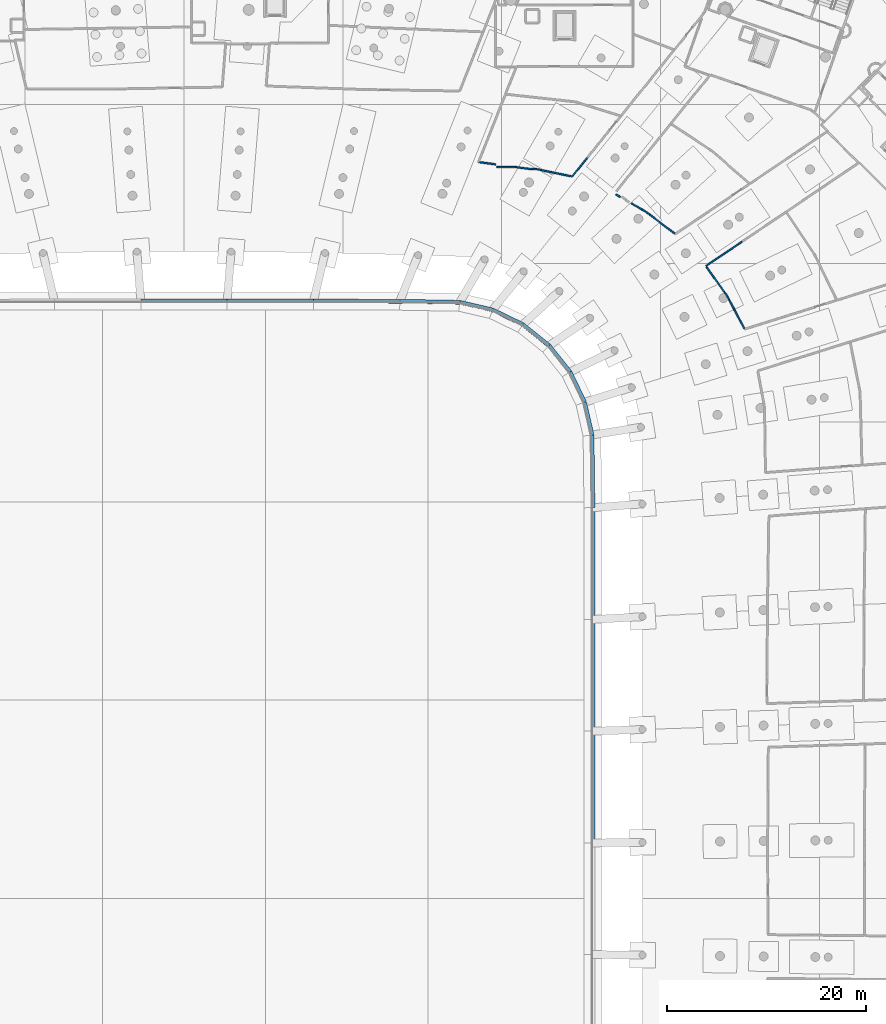
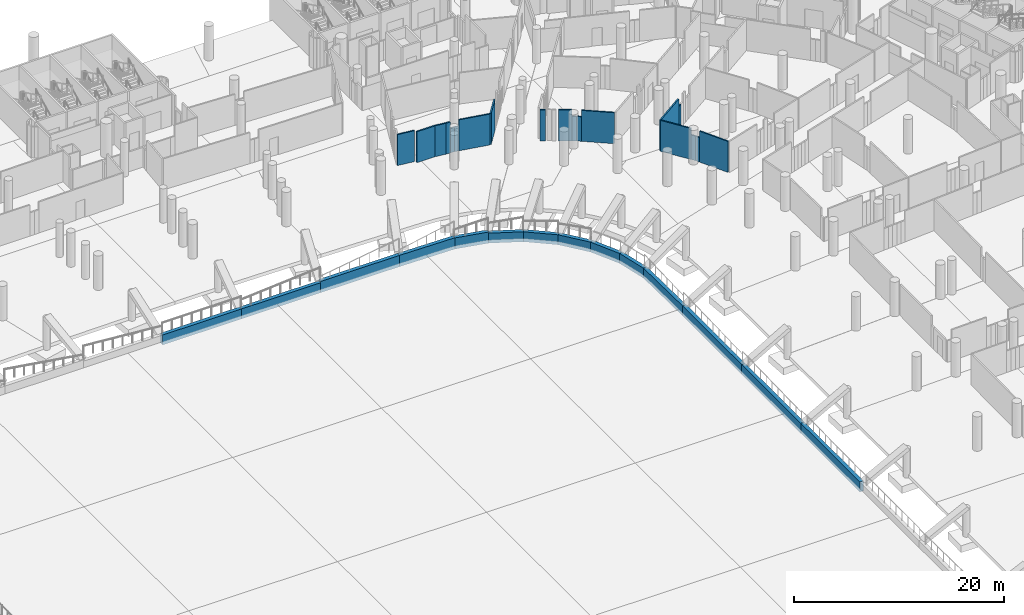
# One storey, part 81 of 142: 33 walls.
"""IFC4 building model written with IfcOpenShell, lengths in metres."""

from ifc_helpers import new_model, si_unit, direction, frame, frame_2d, origin, place, context, subcontext, project, spatial, rectangle, extrude, material, layer, layer_set, type_object, element, save


model = new_model("IFC4")

# Units and contexts
model_context = context("Model", 3, precision=1e-05, world=origin(), true_north=direction((0.0, 1.0)))
body_context = subcontext(model_context, "Body", "Model", "MODEL_VIEW")
ifc_project = project(units=[si_unit("LENGTHUNIT", "METRE"), si_unit("AREAUNIT", "SQUARE_METRE"), si_unit("VOLUMEUNIT", "CUBIC_METRE"), si_unit("PLANEANGLEUNIT", "RADIAN"), si_unit("MASSUNIT", "GRAM", prefix="KILO")], contexts=[model_context])

# Site, building, storey
site_placement = place(None, origin())
site = spatial("IfcSite", under=ifc_project, at=site_placement, CompositionType="ELEMENT")
building_placement = place(site_placement, origin())
building = spatial("IfcBuilding", under=site, at=building_placement, Name="Meseta Stadium", CompositionType="ELEMENT")
storey_placement = place(building_placement, frame((0.0, 0.0, -4.0)))
storey = spatial("IfcBuildingStorey", under=building, at=storey_placement, Name="B1", CompositionType="ELEMENT", Elevation=-4.0)

# Walls
ifc_material_1 = material(Name="Masonry blockwork", Category="masonry")
ifc_layer_1 = layer(ifc_material_1, 0.14990234375)
ifc_layer_set_1 = layer_set([ifc_layer_1], Name="Partition 150")
wall_type_1 = type_object("IfcWallType", Name="Partition 150", PredefinedType="PARTITIONING", material=ifc_layer_set_1)
wall_1_placement = place(storey_placement, frame((52.581787109375, 63.736572265625, 0.0), z_axis=(0.0, 0.0, 1.0), x_axis=(0.82882615394, 0.559506216718, 0.0)))
element("IfcWall", 1, at=wall_1_placement, inside=storey, type_object=wall_type_1, Name="Partition B1 B1-cell05-1-0", PredefinedType="PARTITIONING", context=body_context, shape_type="SweptSolid", body=[
    extrude(rectangle(XDim=3.896240234375, YDim=0.14990234375, at=frame_2d((1.9482421875, 0.0))), origin(), (0.0, 0.0, 1.0), 3.60009765625),
])
wall_2_placement = place(storey_placement, frame((55.81103515625, 65.91650390625, 0.0), z_axis=(0.0, 0.0, 1.0), x_axis=(0.828953242646, 0.559317907372, 0.0)))
element("IfcWall", 2, at=wall_2_placement, inside=storey, type_object=wall_type_1, Name="Partition B1 B1-cell05-1-0", PredefinedType="PARTITIONING", context=body_context, shape_type="SweptSolid", body=[
    extrude(rectangle(XDim=0.487060546875, YDim=0.14990234375, at=frame_2d((0.24365234375, 0.0))), origin(), (0.0, 0.0, 1.0), 2.699951171875),
])
wall_3_placement = place(storey_placement, frame((56.439208984375, 57.443115234375, 0.0), z_axis=(0.0, 0.0, 1.0), x_axis=(-0.465186694802, 0.885212595357, 0.0)))
element("IfcWall", 3, at=wall_3_placement, inside=storey, type_object=wall_type_1, Name="Partition B1 B1-cell05-1-0", PredefinedType="PARTITIONING", context=body_context, shape_type="SweptSolid", body=[
    extrude(rectangle(XDim=3.200439453125, YDim=0.14990234375, at=frame_2d((1.60009765625, 0.0))), origin(), (0.0, 0.0, 1.0), 3.60009765625),
])
wall_4_placement = place(storey_placement, frame((54.950439453125, 60.276123046875, 0.0), z_axis=(0.0, 0.0, 1.0), x_axis=(-0.465058676895, 0.885279858036, 0.0)))
element("IfcWall", 4, at=wall_4_placement, inside=storey, type_object=wall_type_1, Name="Partition B1 B1-cell05-1-0", PredefinedType="PARTITIONING", context=body_context, shape_type="SweptSolid", body=[
    extrude(rectangle(XDim=0.46826171875, YDim=0.14990234375, at=frame_2d((0.234130859375, 0.0))), origin(), (0.0, 0.0, 1.0), 2.85009765625),
])
wall_5_placement = place(storey_placement, frame((54.732666015625, 60.690673828125, 0.0), z_axis=(0.0, 0.0, 1.0), x_axis=(-0.576868319656, 0.816837157442, 0.0)))
element("IfcWall", 5, at=wall_5_placement, inside=storey, type_object=wall_type_1, Name="Partition B1 B1-cell05-1-0", PredefinedType="PARTITIONING", context=body_context, shape_type="SweptSolid", body=[
    extrude(rectangle(XDim=0.466064453125, YDim=0.14990234375, at=frame_2d((0.23291015625, 0.0))), origin(), (0.0, 0.0, 1.0), 2.85009765625),
])
wall_6_placement = place(storey_placement, frame((54.4638671875, 61.0712890625, 0.0), z_axis=(0.0, 0.0, 1.0), x_axis=(-0.576788435752, 0.816893567353, 0.0)))
element("IfcWall", 6, at=wall_6_placement, inside=storey, type_object=wall_type_1, Name="Partition B1 B1-cell05-1-0", PredefinedType="PARTITIONING", context=body_context, shape_type="SweptSolid", body=[
    extrude(rectangle(XDim=3.187744140625, YDim=0.14990234375, at=frame_2d((1.59375, 0.0))), origin(), (0.0, 0.0, 1.0), 3.60009765625),
])
wall_7_placement = place(storey_placement, frame((49.4296875, 67.0078125, 0.0), z_axis=(0.0, 0.0, 1.0), x_axis=(-0.796072912049, 0.605200725959, 0.0)))
element("IfcWall", 7, at=wall_7_placement, inside=storey, type_object=wall_type_1, Name="Partition B1 B1-cell06-1-0", PredefinedType="PARTITIONING", context=body_context, shape_type="SweptSolid", body=[
    extrude(rectangle(XDim=3.161865234375, YDim=0.14990234375, at=frame_2d((1.5810546875, 0.0))), origin(), (0.0, 0.0, 1.0), 3.60009765625),
])
wall_8_placement = place(storey_placement, frame((46.91259765625, 68.92138671875, 0.0), z_axis=(0.0, 0.0, 1.0), x_axis=(-0.796060594094, 0.60521692849, 0.0)))
element("IfcWall", 8, at=wall_8_placement, inside=storey, type_object=wall_type_1, Name="Partition B1 B1-cell06-1-0", PredefinedType="PARTITIONING", context=body_context, shape_type="SweptSolid", body=[
    extrude(rectangle(XDim=0.463134765625, YDim=0.14990234375, at=frame_2d((0.2314453125, 0.0))), origin(), (0.0, 0.0, 1.0), 2.85009765625),
])
wall_9_placement = place(storey_placement, frame((46.5439453125, 69.20166015625, 0.0), z_axis=(0.0, 0.0, 1.0), x_axis=(-0.866881850075, 0.49851364877, 0.0)))
element("IfcWall", 9, at=wall_9_placement, inside=storey, type_object=wall_type_1, Name="Partition B1 B1-cell06-1-0", PredefinedType="PARTITIONING", context=body_context, shape_type="SweptSolid", body=[
    extrude(rectangle(XDim=0.431396484375, YDim=0.14990234375, at=frame_2d((0.2158203125, 0.0))), origin(), (0.0, 0.0, 1.0), 2.85009765625),
])
wall_10_placement = place(storey_placement, frame((46.169921875, 69.416748046875, 0.0), z_axis=(0.0, 0.0, 1.0), x_axis=(-0.866822697877, 0.498616496362, 0.0)))
element("IfcWall", 10, at=wall_10_placement, inside=storey, type_object=wall_type_1, Name="Partition B1 B1-cell06-1-0", PredefinedType="PARTITIONING", context=body_context, shape_type="SweptSolid", body=[
    extrude(rectangle(XDim=1.293701171875, YDim=0.14990234375, at=frame_2d((0.64697265625, 0.0))), origin(), (0.0, 0.0, 1.0), 3.60009765625),
])
wall_11_placement = place(storey_placement, frame((43.950439453125, 70.693359375, 0.0), z_axis=(0.0, 0.0, 1.0), x_axis=(-0.866885628728, 0.498507077889, 0.0)))
element("IfcWall", 11, at=wall_11_placement, inside=storey, type_object=wall_type_1, Name="Partition B1 B1-cell06-1-0", PredefinedType="PARTITIONING", context=body_context, shape_type="SweptSolid", body=[
    extrude(rectangle(XDim=0.51025390625, YDim=0.14990234375, at=frame_2d((0.255126953125, 0.0))), origin(), (0.0, 0.0, 1.0), 3.60009765625),
])
wall_12_placement = place(storey_placement, frame((40.63671875, 74.65869140625, 0.0), z_axis=(0.0, 0.0, 1.0), x_axis=(-0.62801396352, -0.778202069918, 0.0)))
element("IfcWall", 12, at=wall_12_placement, inside=storey, type_object=wall_type_1, Name="Partition B1 B1-cell07-1-0", PredefinedType="PARTITIONING", context=body_context, shape_type="SweptSolid", body=[
    extrude(rectangle(XDim=2.44482421875, YDim=0.14990234375, at=frame_2d((1.222412109375, 0.0))), origin(), (0.0, 0.0, 1.0), 3.60009765625),
])
wall_13_placement = place(storey_placement, frame((39.018798828125, 72.773193359375, 0.0), z_axis=(0.0, 0.0, 1.0), x_axis=(-0.97909156947, 0.203420005391, 0.0)))
element("IfcWall", 13, at=wall_13_placement, inside=storey, type_object=wall_type_1, Name="Partition B1 B1-cell07-1-0", PredefinedType="PARTITIONING", context=body_context, shape_type="SweptSolid", body=[
    extrude(rectangle(XDim=3.1025390625, YDim=0.14990234375, at=frame_2d((1.55126953125, 0.0))), origin(), (0.0, 0.0, 1.0), 3.60009765625),
])
wall_14_placement = place(storey_placement, frame((35.981201171875, 73.404296875, 0.0), z_axis=(0.0, 0.0, 1.0), x_axis=(-0.979131824318, 0.203226156307, 0.0)))
element("IfcWall", 14, at=wall_14_placement, inside=storey, type_object=wall_type_1, Name="Partition B1 B1-cell07-1-0", PredefinedType="PARTITIONING", context=body_context, shape_type="SweptSolid", body=[
    extrude(rectangle(XDim=0.455322265625, YDim=0.14990234375, at=frame_2d((0.2275390625, 0.0))), origin(), (0.0, 0.0, 1.0), 2.85009765625),
])
wall_15_placement = place(storey_placement, frame((35.535400390625, 73.496826171875, 0.0), z_axis=(0.0, 0.0, 1.0), x_axis=(-0.998891019757, 0.047082169115, 0.0)))
element("IfcWall", 15, at=wall_15_placement, inside=storey, type_object=wall_type_1, Name="Partition B1 B1-cell07-1-0", PredefinedType="PARTITIONING", context=body_context, shape_type="SweptSolid", body=[
    extrude(rectangle(XDim=0.456298828125, YDim=0.14990234375, at=frame_2d((0.22802734375, 0.0))), origin(), (0.0, 0.0, 1.0), 2.85009765625),
])
wall_16_placement = place(storey_placement, frame((35.07958984375, 73.518310546875, 0.0), z_axis=(0.0, 0.0, 1.0), x_axis=(-0.998916039916, 0.046548310376, 0.0)))
element("IfcWall", 16, at=wall_16_placement, inside=storey, type_object=wall_type_1, Name="Partition B1 B1-cell07-1-0", PredefinedType="PARTITIONING", context=body_context, shape_type="SweptSolid", body=[
    extrude(rectangle(XDim=0.456298828125, YDim=0.14990234375, at=frame_2d((0.22802734375, 0.0))), origin(), (0.0, 0.0, 1.0), 3.60009765625),
])
wall_17_placement = place(storey_placement, frame((34.623779296875, 73.53955078125, 0.0), z_axis=(0.0, 0.0, 1.0), x_axis=(-0.99094412784, 0.134274850584, 0.0)))
element("IfcWall", 17, at=wall_17_placement, inside=storey, type_object=wall_type_1, Name="Partition B1 B1-cell07-1-0", PredefinedType="PARTITIONING", context=body_context, shape_type="SweptSolid", body=[
    extrude(rectangle(XDim=1.1435546875, YDim=0.14990234375, at=frame_2d((0.57177734375, 0.0))), origin(), (0.0, 0.0, 1.0), 3.60009765625),
])
wall_18_placement = place(storey_placement, frame((33.490478515625, 73.693115234375, 0.0), z_axis=(0.0, 0.0, 1.0), x_axis=(-1.0, 0.0, 0.0)))
element("IfcWall", 18, at=wall_18_placement, inside=storey, type_object=wall_type_1, Name="Partition B1 B1-cell07-1-0", PredefinedType="PARTITIONING", context=body_context, shape_type="SweptSolid", body=[
    extrude(rectangle(XDim=1.97998046875, YDim=0.14990234375, at=frame_2d((0.989990234375, 0.0))), origin(), (0.0, 0.0, 1.0), 3.60009765625),
])
wall_19_placement = place(storey_placement, frame((31.418701171875, 73.973876953125, 0.0), z_axis=(0.0, 0.0, 1.0), x_axis=(-0.990946153223, 0.134259902471, 0.0)))
element("IfcWall", 19, at=wall_19_placement, inside=storey, type_object=wall_type_1, Name="Partition B1 B1-cell07-1-0", PredefinedType="PARTITIONING", context=body_context, shape_type="SweptSolid", body=[
    extrude(rectangle(XDim=1.761962890625, YDim=0.14990234375, at=frame_2d((0.880859375, 0.0))), origin(), (0.0, 0.0, 1.0), 3.60009765625),
])
ifc_material_2 = material(Name="Concrete C40/50", Category="concrete")
ifc_layer_2 = layer(ifc_material_2, 0.39990234375)
ifc_layer_set_2 = layer_set([ifc_layer_2], Name="Pitch wall 400")
wall_type_2 = type_object("IfcWallType", Name="Pitch wall 400", PredefinedType="SOLIDWALL", material=ifc_layer_set_2)
for number, where, z_axis, x_axis, name in (
    (20, (41.199951171875, 5.627197265625, -0.39990234375), (0.0, 0.0, 1.0), (0.0, 1.0, 0.0), "Pitch wall bay 06"),
    (21, (41.199951171875, 16.881591796875, -0.39990234375), (0.0, 0.0, 1.0), (-2.1692915e-05, 0.999999999765, 0.0), "Pitch wall bay 07"),
    (22, (41.19970703125, 28.135986328125, -0.39990234375), (0.0, 0.0, 1.0), (-2.1692915e-05, 0.999999999765, 0.0), "Pitch wall bay 08"),
):
    element("IfcWall", number, at=place(storey_placement, frame(where, z_axis=z_axis, x_axis=x_axis)), inside=storey, type_object=wall_type_2, Name=name, PredefinedType="SOLIDWALL", context=body_context, shape_type="SweptSolid", body=[
        extrude(rectangle(XDim=11.25439453125, YDim=0.39990234375, at=frame_2d((5.627197265625, 0.0))), origin(), (0.0, 0.0, 1.0), 1.158935546875),
    ])
wall_20_placement = place(storey_placement, frame((41.199462890625, 39.390380859375, -0.39990234375), z_axis=(0.0, 0.0, 1.0), x_axis=(-0.013171671235, 0.999913249776, 0.0)))
element("IfcWall", 23, at=wall_20_placement, inside=storey, type_object=wall_type_2, Name="Pitch wall bay 09", PredefinedType="SOLIDWALL", context=body_context, shape_type="SweptSolid", body=[
    extrude(rectangle(XDim=7.321533203125, YDim=0.39990234375, at=frame_2d((3.66064453125, 0.0))), origin(), (0.0, 0.0, 1.0), 1.158935546875),
])
for number, where, z_axis, x_axis, name in (
    (24, (41.10302734375, 46.711181640625, -0.39990234375), (0.0, 0.0, 1.0), (-0.222543009521, 0.974922873315, 0.0), "Pitch wall bay 10"),
    (25, (40.34912109375, 50.013916015625, -0.39990234375), (0.0, 0.0, 1.0), (-0.433323702039, 0.901238353185, 0.0), "Pitch wall bay 11"),
    (26, (38.881103515625, 53.067138671875, -0.39990234375), (0.0, 0.0, 1.0), (-0.622451335574, 0.782658504612, 0.0), "Pitch wall bay 12"),
    (27, (36.7724609375, 55.718505859375, -0.39990234375), (0.0, 0.0, 1.0), (-0.780608604491, 0.625020164951, 0.0), "Pitch wall bay 13"),
):
    element("IfcWall", number, at=place(storey_placement, frame(where, z_axis=z_axis, x_axis=x_axis)), inside=storey, type_object=wall_type_2, Name=name, PredefinedType="SOLIDWALL", context=body_context, shape_type="SweptSolid", body=[
        extrude(rectangle(XDim=3.3876953125, YDim=0.39990234375, at=frame_2d((1.69384765625, 0.0))), origin(), (0.0, 0.0, 1.0), 1.15869140625),
    ])
wall_21_placement = place(storey_placement, frame((34.1279296875, 57.8359375, -0.39990234375), z_axis=(0.0, 0.0, 1.0), x_axis=(-0.899795244886, 0.436312407893, 0.0)))
element("IfcWall", 28, at=wall_21_placement, inside=storey, type_object=wall_type_2, Name="Pitch wall bay 14", PredefinedType="SOLIDWALL", context=body_context, shape_type="SweptSolid", body=[
    extrude(rectangle(XDim=3.387451171875, YDim=0.39990234375, at=frame_2d((1.69384765625, 0.0))), origin(), (0.0, 0.0, 1.0), 1.15869140625),
])
wall_22_placement = place(storey_placement, frame((31.079833984375, 59.31396484375, -0.39990234375), z_axis=(0.0, 0.0, 1.0), x_axis=(-0.974178208336, 0.225780465063, 0.0)))
element("IfcWall", 29, at=wall_22_placement, inside=storey, type_object=wall_type_2, Name="Pitch wall bay 15", PredefinedType="SOLIDWALL", context=body_context, shape_type="SweptSolid", body=[
    extrude(rectangle(XDim=3.3876953125, YDim=0.39990234375, at=frame_2d((1.69384765625, 0.0))), origin(), (0.0, 0.0, 1.0), 1.295654296875),
])
wall_23_placement = place(storey_placement, frame((27.779541015625, 60.078857421875, -0.39990234375), z_axis=(0.0, 0.0, 1.0), x_axis=(-0.999843268182, 0.017704210522, 0.0)))
element("IfcWall", 30, at=wall_23_placement, inside=storey, type_object=wall_type_2, Name="Pitch wall bay 16", PredefinedType="SOLIDWALL", context=body_context, shape_type="SweptSolid", body=[
    extrude(rectangle(XDim=6.0400390625, YDim=0.39990234375, at=frame_2d((3.02001953125, 0.0))), origin(), (0.0, 0.0, 1.0), 1.314453125),
])
wall_24_placement = place(storey_placement, frame((21.740478515625, 60.185791015625, -0.39990234375), z_axis=(0.0, 0.0, 1.0), x_axis=(-0.999999489017, 0.001010923074, 0.0)))
element("IfcWall", 31, at=wall_24_placement, inside=storey, type_object=wall_type_2, Name="Pitch wall bay 17", PredefinedType="SOLIDWALL", context=body_context, shape_type="SweptSolid", body=[
    extrude(rectangle(XDim=8.694091796875, YDim=0.39990234375, at=frame_2d((4.34716796875, 0.0))), origin(), (0.0, 0.0, 1.0), 1.314453125),
])
wall_25_placement = place(storey_placement, frame((13.04638671875, 60.194580078125, -0.39990234375), z_axis=(0.0, 0.0, 1.0), x_axis=(-0.999999842404, 0.000561419179, 0.0)))
element("IfcWall", 32, at=wall_25_placement, inside=storey, type_object=wall_type_2, Name="Pitch wall bay 18", PredefinedType="SOLIDWALL", context=body_context, shape_type="SweptSolid", body=[
    extrude(rectangle(XDim=8.697265625, YDim=0.39990234375, at=frame_2d((4.3486328125, 0.0))), origin(), (0.0, 0.0, 1.0), 1.15869140625),
])
wall_26_placement = place(storey_placement, frame((4.34912109375, 60.199462890625, -0.39990234375), z_axis=(0.0, 0.0, 1.0), x_axis=(-1.0, 0.0, 0.0)))
element("IfcWall", 33, at=wall_26_placement, inside=storey, type_object=wall_type_2, Name="Pitch wall bay 19", PredefinedType="SOLIDWALL", context=body_context, shape_type="SweptSolid", body=[
    extrude(rectangle(XDim=8.6982421875, YDim=0.39990234375, at=frame_2d((4.34912109375, 0.0))), origin(), (0.0, 0.0, 1.0), 1.15869140625),
])

save(model, "model.ifc")
